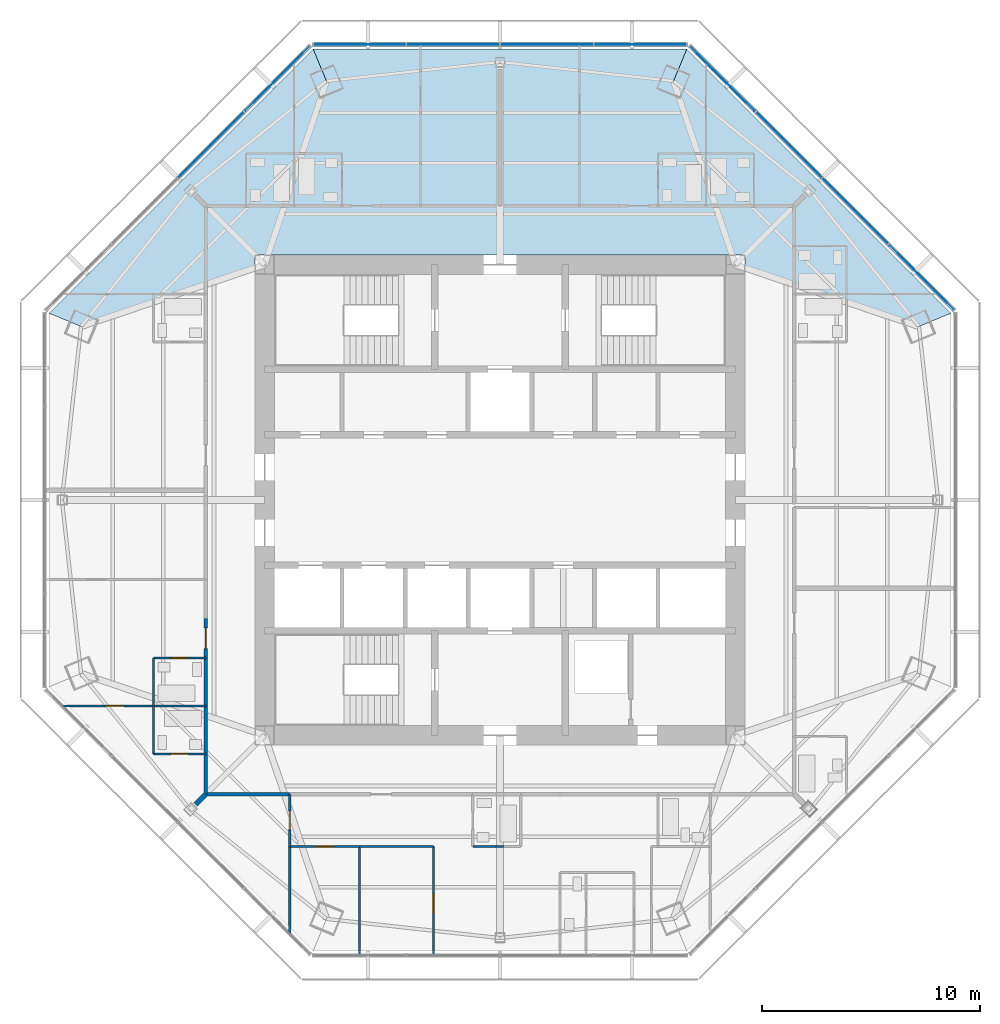
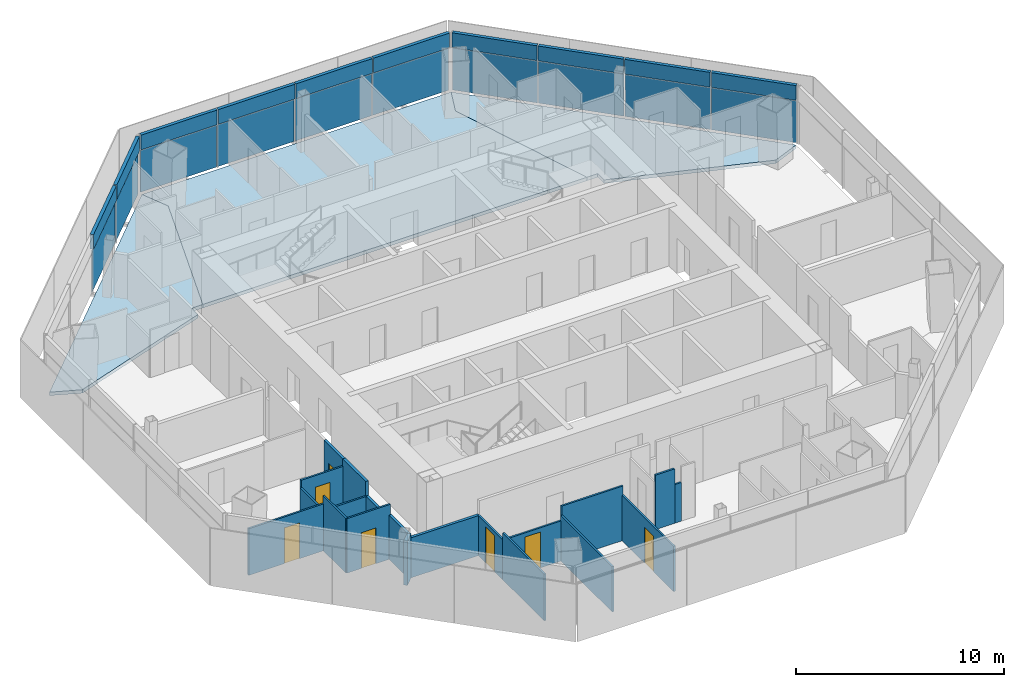
# One storey, part 8 of 14: 20 plates, 20 walls, 7 doors, 3 slabs, 7 openings, 3 elements without a shape of their own.
"""IFC4 building model written with IfcOpenShell, lengths in metres."""

from ifc_helpers import new_model, si_unit, direction, frame, frame_2d, origin, origin_2d, place, context, subcontext, project, spatial, polyline, rectangle, outline, extrude, source, transform, mapped, material, layer, layer_set, type_object, type_shapes, element, fill, aggregate, save


model = new_model("IFC4")

# Units and contexts
model_context = context("Model", 3, precision=1e-05, world=origin(), true_north=direction((0.0, 1.0)))
body_context = subcontext(model_context, "Body", "Model", "MODEL_VIEW")
ifc_project = project(units=[si_unit("LENGTHUNIT", "METRE"), si_unit("AREAUNIT", "SQUARE_METRE"), si_unit("VOLUMEUNIT", "CUBIC_METRE"), si_unit("PLANEANGLEUNIT", "RADIAN"), si_unit("MASSUNIT", "GRAM", prefix="KILO")], contexts=[model_context])

# Site, building, storey
site_placement = place(None, origin())
site = spatial("IfcSite", under=ifc_project, at=site_placement, CompositionType="ELEMENT")
building_placement = place(site_placement, origin())
building = spatial("IfcBuilding", under=site, at=building_placement, Name="Mashrafa Tower", CompositionType="ELEMENT")
storey_placement = place(building_placement, frame((0.0, 0.0, 251.60009765625)))
storey = spatial("IfcBuildingStorey", under=building, at=storey_placement, Name="L60", CompositionType="ELEMENT", Elevation=251.60009765625)

# Slabs
ifc_material_1 = material(Name="Concrete C35/45", Category="concrete")
ifc_layer_1 = layer(ifc_material_1, 0.199951171875)
ifc_layer_set_1 = layer_set([ifc_layer_1], Name="Floor slab 200")
slab_type = type_object("IfcSlabType", Name="Floor slab 200", PredefinedType="FLOOR", material=ifc_layer_set_1)
slab_1_placement = place(storey_placement, frame((0.0, 0.0, -0.2001953125)))
element("IfcSlab", 1, at=slab_1_placement, inside=storey, type_object=slab_type, Name="Floor slab L60 north-east bay", PredefinedType="FLOOR", context=body_context, shape_type="SweptSolid", body=[
    extrude(outline(polyline([(20.697265625, 8.5732421875), (19.224853515625, 7.963134765625), (11.25, 10.6484375), (11.25, 11.25), (10.6484375, 11.25), (7.963134765625, 19.224853515625), (8.5732421875, 20.697265625), (20.697265625, 8.5732421875)])), origin(), (0.0, 0.0, 1.0), 0.2001953125),
])
slab_2_placement = place(storey_placement, frame((0.0, 0.0, -0.2001953125)))
element("IfcSlab", 2, at=slab_2_placement, inside=storey, type_object=slab_type, Name="Floor slab L60 north bay", PredefinedType="FLOOR", context=body_context, shape_type="SweptSolid", body=[
    extrude(outline(polyline([(-8.572998046875, 20.697265625), (8.572998046875, 20.697265625), (8.5732421875, 20.697265625), (7.963134765625, 19.224853515625), (10.6484375, 11.25), (-10.6484375, 11.25), (-7.963134765625, 19.224853515625), (-8.5732421875, 20.697265625), (-8.572998046875, 20.697265625)])), origin(), (0.0, 0.0, 1.0), 0.2001953125),
])
slab_3_placement = place(storey_placement, frame((0.0, 0.0, -0.2001953125)))
element("IfcSlab", 3, at=slab_3_placement, inside=storey, type_object=slab_type, Name="Floor slab L60 north-west bay", PredefinedType="FLOOR", context=body_context, shape_type="SweptSolid", body=[
    extrude(outline(polyline([(-8.5732421875, 20.697265625), (-7.963134765625, 19.224853515625), (-10.6484375, 11.25), (-11.25, 11.25), (-11.25, 10.6484375), (-19.224853515625, 7.963134765625), (-20.697265625, 8.5732421875), (-8.5732421875, 20.697265625)])), origin(), (0.0, 0.0, 1.0), 0.2001953125),
])

# Curtain wall, plates
ifc_material_2 = material(Name="Unitised aluminium curtain wall", Category="aluminium")
curtain_wall_type = type_object("IfcCurtainWallType", Name="Apartment curtain wall, zone 3 CW-C 180 deep", PredefinedType="NOTDEFINED", material=ifc_material_2)
curtain_wall_1_placement = place(storey_placement, origin())
curtain_wall_1 = element("IfcCurtainWall", 4, at=curtain_wall_1_placement, inside=storey, type_object=curtain_wall_type, Name="Apartment curtain wall, zone 3 L60 north-east", PredefinedType="NOTDEFINED")
ifc_material_3 = material(Name="Insulated double glazing, acoustic", Category="glass")
ifc_layer_2 = layer(ifc_material_3, 0.028076171875)
ifc_layer_set_2 = layer_set([ifc_layer_2], Name="Vision panel CW-C 28")
plate_type_1 = type_object("IfcPlateType", Name="Vision panel CW-C 28", PredefinedType="CURTAIN_PANEL", material=ifc_layer_set_2)
shared_shape_1 = source(origin(), body_context, "Body", "SweptSolid", [
    extrude(rectangle(XDim=4.21435546875, YDim=0.028076171875, at=origin_2d()), origin(), (0.0, 0.0, 1.0), 2.46240234375),
])
plate_1_placement = place(storey_placement, frame((19.33154296875, 10.2216796875, 0.0), z_axis=(0.0, 0.0, 1.0), x_axis=(-0.707106781187, 0.707106781187, 0.0)))
plate_1 = element("IfcPlate", 5, at=plate_1_placement, type_object=plate_type_1, Name="CW-C vision panel 1", PredefinedType="CURTAIN_PANEL", context=body_context, shape_type="MappedRepresentation", body=[
    mapped(shared_shape_1, transform((0.0, 0.0, 0.0))),
])
plate_2_placement = place(storey_placement, frame((10.2216796875, 19.33154296875, 0.0), z_axis=(0.0, 0.0, 1.0), x_axis=(-0.707106781187, 0.707106781187, 0.0)))
plate_2 = element("IfcPlate", 6, at=plate_2_placement, type_object=plate_type_1, Name="CW-C vision panel 4", PredefinedType="CURTAIN_PANEL", context=body_context, shape_type="MappedRepresentation", body=[
    mapped(shared_shape_1, transform((0.0, 0.0, 0.0))),
])

curtain_wall_2_placement = place(storey_placement, origin())
curtain_wall_2 = element("IfcCurtainWall", 7, at=curtain_wall_2_placement, inside=storey, type_object=curtain_wall_type, Name="Apartment curtain wall, zone 3 L60 north", PredefinedType="NOTDEFINED")
plate_3_placement = place(storey_placement, frame((6.44140625, 20.897216796875, 0.0), z_axis=(0.0, 0.0, 1.0), x_axis=(-1.0, 0.0, 0.0)))
plate_3 = element("IfcPlate", 8, at=plate_3_placement, type_object=plate_type_1, Name="CW-C vision panel 1", PredefinedType="CURTAIN_PANEL", context=body_context, shape_type="MappedRepresentation", body=[
    mapped(shared_shape_1, transform((0.0, 0.0, 0.0))),
])
plate_4_placement = place(storey_placement, frame((-6.44140625, 20.897216796875, 0.0), z_axis=(0.0, 0.0, 1.0), x_axis=(-1.0, 0.0, 0.0)))
plate_4 = element("IfcPlate", 9, at=plate_4_placement, type_object=plate_type_1, Name="CW-C vision panel 4", PredefinedType="CURTAIN_PANEL", context=body_context, shape_type="MappedRepresentation", body=[
    mapped(shared_shape_1, transform((0.0, 0.0, 0.0))),
])

# Curtain wall, plate
curtain_wall_3_placement = place(storey_placement, origin())
curtain_wall_3 = element("IfcCurtainWall", 10, at=curtain_wall_3_placement, inside=storey, type_object=curtain_wall_type, Name="Apartment curtain wall, zone 3 L60 north-west", PredefinedType="NOTDEFINED")
plate_5_placement = place(storey_placement, frame((-10.2216796875, 19.33154296875, 0.0), z_axis=(0.0, 0.0, 1.0), x_axis=(-0.707106781187, -0.707106781187, 0.0)))
plate_5 = element("IfcPlate", 11, at=plate_5_placement, type_object=plate_type_1, Name="CW-C vision panel 1", PredefinedType="CURTAIN_PANEL", context=body_context, shape_type="MappedRepresentation", body=[
    mapped(shared_shape_1, transform((0.0, 0.0, 0.0))),
])

# Plate
ifc_material_4 = material(Name="Insulated bronze aluminium spandrel panel", Category="aluminium")
ifc_layer_3 = layer(ifc_material_4, 0.179931640625)
ifc_layer_set_3 = layer_set([ifc_layer_3], Name="Spandrel panel CW-C 180")
plate_type_2 = type_object("IfcPlateType", Name="Spandrel panel CW-C 180", PredefinedType="CURTAIN_PANEL", material=ifc_layer_set_3)
shared_shape_2 = source(origin(), body_context, "Body", "SweptSolid", [
    extrude(rectangle(XDim=4.21435546875, YDim=0.179931640625, at=origin_2d()), origin(), (0.0, 0.0, 1.0), 0.862548828125),
])
plate_6_placement = place(storey_placement, frame((19.33154296875, 10.2216796875, 2.53759765625), z_axis=(0.0, 0.0, 1.0), x_axis=(-0.707106781187, 0.707106781187, 0.0)))
plate_6 = element("IfcPlate", 12, at=plate_6_placement, type_object=plate_type_2, Name="CW-C spandrel panel 1", PredefinedType="CURTAIN_PANEL", context=body_context, shape_type="MappedRepresentation", body=[
    mapped(shared_shape_2, transform((0.0, 0.0, 0.0))),
])

plate_7_placement = place(storey_placement, frame((10.2216796875, 19.33154296875, 2.53759765625), z_axis=(0.0, 0.0, 1.0), x_axis=(-0.707106781187, 0.707106781187, 0.0)))
plate_7 = element("IfcPlate", 13, at=plate_7_placement, type_object=plate_type_2, Name="CW-C spandrel panel 4", PredefinedType="CURTAIN_PANEL", context=body_context, shape_type="MappedRepresentation", body=[
    mapped(shared_shape_2, transform((0.0, 0.0, 0.0))),
])

plate_8_placement = place(storey_placement, frame((6.44140625, 20.897216796875, 2.53759765625), z_axis=(0.0, 0.0, 1.0), x_axis=(-1.0, 0.0, 0.0)))
plate_8 = element("IfcPlate", 14, at=plate_8_placement, type_object=plate_type_2, Name="CW-C spandrel panel 1", PredefinedType="CURTAIN_PANEL", context=body_context, shape_type="MappedRepresentation", body=[
    mapped(shared_shape_2, transform((0.0, 0.0, 0.0))),
])

plate_9_placement = place(storey_placement, frame((-6.44140625, 20.897216796875, 2.53759765625), z_axis=(0.0, 0.0, 1.0), x_axis=(-1.0, 0.0, 0.0)))
plate_9 = element("IfcPlate", 15, at=plate_9_placement, type_object=plate_type_2, Name="CW-C spandrel panel 4", PredefinedType="CURTAIN_PANEL", context=body_context, shape_type="MappedRepresentation", body=[
    mapped(shared_shape_2, transform((0.0, 0.0, 0.0))),
])

plate_10_placement = place(storey_placement, frame((-10.2216796875, 19.33154296875, 2.53759765625), z_axis=(0.0, 0.0, 1.0), x_axis=(-0.707106781187, -0.707106781187, 0.0)))
plate_10 = element("IfcPlate", 16, at=plate_10_placement, type_object=plate_type_2, Name="CW-C spandrel panel 1", PredefinedType="CURTAIN_PANEL", context=body_context, shape_type="MappedRepresentation", body=[
    mapped(shared_shape_2, transform((0.0, 0.0, 0.0))),
])

shared_shape_3 = source(origin(), body_context, "Body", "SweptSolid", [
    extrude(rectangle(XDim=4.244384765625, YDim=0.028076171875, at=origin_2d()), origin(), (0.0, 0.0, 1.0), 2.46240234375),
])
type_shapes(plate_type_1, [shared_shape_1, shared_shape_3])
plate_11_placement = place(storey_placement, frame((16.29833984375, 13.2548828125, 0.0), z_axis=(0.0, 0.0, 1.0), x_axis=(-0.707106781187, 0.707106781187, 0.0)))
plate_11 = element("IfcPlate", 17, at=plate_11_placement, type_object=plate_type_1, Name="CW-C vision panel 2", PredefinedType="CURTAIN_PANEL", context=body_context, shape_type="MappedRepresentation", body=[
    mapped(shared_shape_3, transform((0.0, 0.0, 0.0))),
])

plate_12_placement = place(storey_placement, frame((13.2548828125, 16.29833984375, 0.0), z_axis=(0.0, 0.0, 1.0), x_axis=(-0.707106781187, 0.707106781187, 0.0)))
plate_12 = element("IfcPlate", 18, at=plate_12_placement, type_object=plate_type_1, Name="CW-C vision panel 3", PredefinedType="CURTAIN_PANEL", context=body_context, shape_type="MappedRepresentation", body=[
    mapped(shared_shape_3, transform((0.0, 0.0, 0.0))),
])

plate_13_placement = place(storey_placement, frame((2.152099609375, 20.897216796875, 0.0), z_axis=(0.0, 0.0, 1.0), x_axis=(-1.0, 0.0, 0.0)))
plate_13 = element("IfcPlate", 19, at=plate_13_placement, type_object=plate_type_1, Name="CW-C vision panel 2", PredefinedType="CURTAIN_PANEL", context=body_context, shape_type="MappedRepresentation", body=[
    mapped(shared_shape_3, transform((0.0, 0.0, 0.0))),
])

plate_14_placement = place(storey_placement, frame((-2.152099609375, 20.897216796875, 0.0), z_axis=(0.0, 0.0, 1.0), x_axis=(-1.0, 0.0, 0.0)))
plate_14 = element("IfcPlate", 20, at=plate_14_placement, type_object=plate_type_1, Name="CW-C vision panel 3", PredefinedType="CURTAIN_PANEL", context=body_context, shape_type="MappedRepresentation", body=[
    mapped(shared_shape_3, transform((0.0, 0.0, 0.0))),
])

plate_15_placement = place(storey_placement, frame((-13.2548828125, 16.29833984375, 0.0), z_axis=(0.0, 0.0, 1.0), x_axis=(-0.707106781187, -0.707106781187, 0.0)))
plate_15 = element("IfcPlate", 21, at=plate_15_placement, type_object=plate_type_1, Name="CW-C vision panel 2", PredefinedType="CURTAIN_PANEL", context=body_context, shape_type="MappedRepresentation", body=[
    mapped(shared_shape_3, transform((0.0, 0.0, 0.0))),
])

shared_shape_4 = source(origin(), body_context, "Body", "SweptSolid", [
    extrude(rectangle(XDim=4.244384765625, YDim=0.179931640625, at=origin_2d()), origin(), (0.0, 0.0, 1.0), 0.862548828125),
])
type_shapes(plate_type_2, [shared_shape_2, shared_shape_4])
plate_16_placement = place(storey_placement, frame((16.29833984375, 13.2548828125, 2.53759765625), z_axis=(0.0, 0.0, 1.0), x_axis=(-0.707106781187, 0.707106781187, 0.0)))
plate_16 = element("IfcPlate", 22, at=plate_16_placement, type_object=plate_type_2, Name="CW-C spandrel panel 2", PredefinedType="CURTAIN_PANEL", context=body_context, shape_type="MappedRepresentation", body=[
    mapped(shared_shape_4, transform((0.0, 0.0, 0.0))),
])

plate_17_placement = place(storey_placement, frame((13.2548828125, 16.29833984375, 2.53759765625), z_axis=(0.0, 0.0, 1.0), x_axis=(-0.707106781187, 0.707106781187, 0.0)))
plate_17 = element("IfcPlate", 23, at=plate_17_placement, type_object=plate_type_2, Name="CW-C spandrel panel 3", PredefinedType="CURTAIN_PANEL", context=body_context, shape_type="MappedRepresentation", body=[
    mapped(shared_shape_4, transform((0.0, 0.0, 0.0))),
])

aggregate(curtain_wall_1, [plate_1, plate_6, plate_11, plate_16, plate_12, plate_17, plate_2, plate_7])

plate_18_placement = place(storey_placement, frame((2.152099609375, 20.897216796875, 2.53759765625), z_axis=(0.0, 0.0, 1.0), x_axis=(-1.0, 0.0, 0.0)))
plate_18 = element("IfcPlate", 24, at=plate_18_placement, type_object=plate_type_2, Name="CW-C spandrel panel 2", PredefinedType="CURTAIN_PANEL", context=body_context, shape_type="MappedRepresentation", body=[
    mapped(shared_shape_4, transform((0.0, 0.0, 0.0))),
])

plate_19_placement = place(storey_placement, frame((-2.152099609375, 20.897216796875, 2.53759765625), z_axis=(0.0, 0.0, 1.0), x_axis=(-1.0, 0.0, 0.0)))
plate_19 = element("IfcPlate", 25, at=plate_19_placement, type_object=plate_type_2, Name="CW-C spandrel panel 3", PredefinedType="CURTAIN_PANEL", context=body_context, shape_type="MappedRepresentation", body=[
    mapped(shared_shape_4, transform((0.0, 0.0, 0.0))),
])

aggregate(curtain_wall_2, [plate_3, plate_8, plate_13, plate_18, plate_14, plate_19, plate_4, plate_9])

plate_20_placement = place(storey_placement, frame((-13.2548828125, 16.29833984375, 2.53759765625), z_axis=(0.0, 0.0, 1.0), x_axis=(-0.707106781187, -0.707106781187, 0.0)))
plate_20 = element("IfcPlate", 26, at=plate_20_placement, type_object=plate_type_2, Name="CW-C spandrel panel 2", PredefinedType="CURTAIN_PANEL", context=body_context, shape_type="MappedRepresentation", body=[
    mapped(shared_shape_4, transform((0.0, 0.0, 0.0))),
])

aggregate(curtain_wall_3, [plate_5, plate_10, plate_15, plate_20])

# Walls
ifc_material_5 = material(Name="Gypsum board on steel studs", Category="steel")
ifc_layer_4 = layer(ifc_material_5, 0.199951171875)
ifc_layer_set_4 = layer_set([ifc_layer_4], Name="Acoustic partition 200 1 hr")
wall_type_1 = type_object("IfcWallType", Name="Acoustic partition 200 1 hr", PredefinedType="PARTITIONING", material=ifc_layer_set_4)
wall_1_placement = place(storey_placement, frame((-13.97021484375, -13.97021484375, 0.0), z_axis=(0.0, 0.0, 1.0), x_axis=(0.707106781187, 0.707106781187, 0.0)))
element("IfcWall", 27, at=wall_1_placement, inside=storey, type_object=wall_type_1, Name="Acoustic wall L60-086", PredefinedType="PARTITIONING", context=body_context, shape_type="SweptSolid", body=[
    extrude(rectangle(XDim=0.6650390625, YDim=0.199951171875, at=frame_2d((0.33251953125, 0.0))), origin(), (0.0, 0.0, 1.0), 2.587890625),
])
ifc_material_6 = material(Name="Gypsum board on steel studs", Category="steel")
ifc_layer_5 = layer(ifc_material_6, 0.14990234375)
ifc_layer_set_5 = layer_set([ifc_layer_5], Name="Corridor partition 150 1 hr")
wall_type_2 = type_object("IfcWallType", Name="Corridor partition 150 1 hr", PredefinedType="PARTITIONING", material=ifc_layer_set_5)
wall_2_placement = place(storey_placement, frame((-13.5, -9.448974609375, 0.0), z_axis=(0.0, 0.0, 1.0), x_axis=(0.0, -1.0, 0.0)))
element("IfcWall", 28, at=wall_2_placement, inside=storey, type_object=wall_type_2, Name="Corridor wall L60-030", PredefinedType="PARTITIONING", context=body_context, shape_type="SweptSolid", body=[
    extrude(rectangle(XDim=2.201904296875, YDim=0.14990234375, at=frame_2d((1.10107421875, 0.0))), origin(), (0.0, 0.0, 1.0), 2.34912109375),
])
wall_3_placement = place(storey_placement, frame((-13.5, -11.64892578125, 0.0), z_axis=(0.0, 0.0, 1.0), x_axis=(0.0, -1.0, 0.0)))
element("IfcWall", 29, at=wall_3_placement, inside=storey, type_object=wall_type_2, Name="Corridor wall L60-031", PredefinedType="PARTITIONING", context=body_context, shape_type="SweptSolid", body=[
    extrude(rectangle(XDim=1.85107421875, YDim=0.14990234375, at=frame_2d((0.925537109375, 0.0))), origin(), (0.0, 0.0, 1.0), 2.587890625),
])
wall_4_placement = place(storey_placement, frame((-13.5, -7.2490234375, 0.0), z_axis=(0.0, 0.0, 1.0), x_axis=(0.0, -1.0, 0.0)))
element("IfcWall", 30, at=wall_4_placement, inside=storey, type_object=wall_type_2, Name="Corridor wall L60-032", PredefinedType="PARTITIONING", context=body_context, shape_type="SweptSolid", body=[
    extrude(rectangle(XDim=2.201904296875, YDim=0.14990234375, at=frame_2d((1.10107421875, 0.0))), origin(), (0.0, 0.0, 1.0), 3.199951171875),
])

# Wall, opening, door
wall_5_placement = place(storey_placement, frame((-13.5, -5.448974609375, 0.0), z_axis=(0.0, 0.0, 1.0), x_axis=(0.0, -1.0, 0.0)))
wall_5 = element("IfcWall", 31, at=wall_5_placement, inside=storey, type_object=wall_type_2, Name="Corridor wall L60-037", PredefinedType="PARTITIONING", context=body_context, shape_type="SweptSolid", body=[
    extrude(rectangle(XDim=1.802001953125, YDim=0.14990234375, at=frame_2d((0.90087890625, 0.0))), origin(), (0.0, 0.0, 1.0), 3.199951171875),
])
opening_1_placement = place(wall_5_placement, frame((0.426025390625, 0.0, 0.0)))
opening_1 = element("IfcOpeningElement", 32, at=opening_1_placement, cuts=wall_5, Name="Opening 60.025", PredefinedType="OPENING", context=body_context, shape_type="SweptSolid", body=[
    extrude(rectangle(XDim=0.949951171875, YDim=2.10009765625, at=frame_2d((0.47509765625, 1.050048828125))), frame((0.0, 0.0849609375, 0.0), z_axis=(0.0, -1.0, 0.0), x_axis=(1.0, 0.0, 0.0)), (0.0, 0.0, 1.0), 0.169921875),
])
ifc_material_7 = material(Name="Steel door", Category="steel")
door_type_1 = type_object("IfcDoorType", Name="Residence entrance door 950 x 2100 20 min", OperationType="USERDEFINED", PredefinedType="DOOR", material=ifc_material_7)
door_1_placement = place(opening_1_placement, frame((0.949951171875, 0.0, 0.0), z_axis=(0.0, 0.0, 1.0), x_axis=(-1.0, 0.0, 0.0)))
door_1 = element("IfcDoor", 33, at=door_1_placement, inside=storey, type_object=door_type_1, Name="Apartment 6006 Living Room door", OperationType="SINGLE_SWING_RIGHT", OverallHeight=2.10009765625, OverallWidth=0.949951171875, PredefinedType="DOOR", context=body_context, shape_type="SweptSolid", body=[
    extrude(rectangle(XDim=0.949951171875, YDim=2.10009765625, at=frame_2d((0.47509765625, 1.050048828125))), frame((0.0, 0.02490234375, 0.0), z_axis=(0.0, -1.0, 0.0), x_axis=(1.0, 0.0, 0.0)), (0.0, 0.0, 1.0), 0.050048828125),
])
fill(opening_1, door_1)

# Walls
wall_6_placement = place(storey_placement, frame((-13.5, -13.5, 0.0), z_axis=(0.0, 0.0, 1.0), x_axis=(1.0, 0.0, 0.0)))
element("IfcWall", 34, at=wall_6_placement, inside=storey, type_object=wall_type_2, Name="Corridor wall L60-038", PredefinedType="PARTITIONING", context=body_context, shape_type="SweptSolid", body=[
    extrude(rectangle(XDim=3.85107421875, YDim=0.14990234375, at=frame_2d((1.925537109375, 0.0))), origin(), (0.0, 0.0, 1.0), 2.34912109375),
])
ifc_material_8 = material(Name="Gypsum board on steel studs", Category="steel")
ifc_layer_6 = layer(ifc_material_8, 0.10009765625)
ifc_layer_set_6 = layer_set([ifc_layer_6], Name="Partition 100")
wall_type_3 = type_object("IfcWallType", Name="Partition 100", PredefinedType="PARTITIONING", material=ifc_layer_set_6)
wall_7_placement = place(storey_placement, frame((-15.89990234375, -9.449951171875, 0.0), z_axis=(0.0, 0.0, 1.0), x_axis=(0.0, -1.0, 0.0)))
element("IfcWall", 35, at=wall_7_placement, inside=storey, type_object=wall_type_3, Name="Partition wall L60-082", PredefinedType="PARTITIONING", context=body_context, shape_type="SweptSolid", body=[
    extrude(rectangle(XDim=2.199951171875, YDim=0.10009765625, at=frame_2d((1.10009765625, 0.0))), origin(), (0.0, 0.0, 1.0), 3.199951171875),
])

# Wall, opening, door
wall_8_placement = place(storey_placement, frame((-15.89990234375, -11.64990234375, 0.0), z_axis=(0.0, 0.0, 1.0), x_axis=(1.0, 0.0, 0.0)))
wall_8 = element("IfcWall", 36, at=wall_8_placement, inside=storey, type_object=wall_type_3, Name="Partition wall L60-083", PredefinedType="PARTITIONING", context=body_context, shape_type="SweptSolid", body=[
    extrude(rectangle(XDim=2.39990234375, YDim=0.10009765625, at=frame_2d((1.199951171875, 0.0))), origin(), (0.0, 0.0, 1.0), 3.199951171875),
])
opening_2_placement = place(wall_8_placement, frame((0.800048828125, 0.0, 0.0)))
opening_2 = element("IfcOpeningElement", 37, at=opening_2_placement, cuts=wall_8, Name="Opening 60.021", PredefinedType="OPENING", context=body_context, shape_type="SweptSolid", body=[
    extrude(rectangle(XDim=0.800048828125, YDim=2.10009765625, at=frame_2d((0.39990234375, 1.050048828125))), frame((0.0, 0.06005859375, 0.0), z_axis=(0.0, -1.0, 0.0), x_axis=(1.0, 0.0, 0.0)), (0.0, 0.0, 1.0), 0.1201171875),
])
ifc_material_9 = material(Name="Timber door", Category="wood")
door_type_2 = type_object("IfcDoorType", Name="Bathroom door 800 x 2100", OperationType="USERDEFINED", PredefinedType="DOOR", material=ifc_material_9)
door_2_placement = place(opening_2_placement, origin())
door_2 = element("IfcDoor", 38, at=door_2_placement, inside=storey, type_object=door_type_2, Name="Apartment 6006 En-suite Bathroom door", OperationType="SINGLE_SWING_LEFT", OverallHeight=2.10009765625, OverallWidth=0.800048828125, PredefinedType="DOOR", context=body_context, shape_type="SweptSolid", body=[
    extrude(rectangle(XDim=0.800048828125, YDim=2.10009765625, at=frame_2d((0.39990234375, 1.050048828125))), frame((0.0, 0.02490234375, 0.0), z_axis=(0.0, -1.0, 0.0), x_axis=(1.0, 0.0, 0.0)), (0.0, 0.0, 1.0), 0.050048828125),
])
fill(opening_2, door_2)

# Wall
wall_9_placement = place(storey_placement, frame((-13.5, -9.449951171875, 0.0), z_axis=(0.0, 0.0, 1.0), x_axis=(-1.0, 0.0, 0.0)))
element("IfcWall", 39, at=wall_9_placement, inside=storey, type_object=wall_type_3, Name="Partition wall L60-084", PredefinedType="PARTITIONING", context=body_context, shape_type="SweptSolid", body=[
    extrude(rectangle(XDim=2.39990234375, YDim=0.10009765625, at=frame_2d((1.199951171875, 0.0))), origin(), (0.0, 0.0, 1.0), 2.34912109375),
])

# Wall, opening, door
wall_10_placement = place(storey_placement, frame((-15.89990234375, -9.449951171875, 0.0), z_axis=(0.0, 0.0, 1.0), x_axis=(-1.0, 0.0, 0.0)))
wall_10 = element("IfcWall", 40, at=wall_10_placement, inside=storey, type_object=wall_type_3, Name="Partition wall L60-085", PredefinedType="PARTITIONING", context=body_context, shape_type="SweptSolid", body=[
    extrude(rectangle(XDim=4.181640625, YDim=0.10009765625, at=frame_2d((2.0908203125, 0.0))), origin(), (0.0, 0.0, 1.0), 2.740234375),
])
opening_3_placement = place(wall_10_placement, frame((1.3583984375, 0.0, 0.0)))
opening_3 = element("IfcOpeningElement", 41, at=opening_3_placement, cuts=wall_10, Name="Opening 60.022", PredefinedType="OPENING", context=body_context, shape_type="SweptSolid", body=[
    extrude(rectangle(XDim=0.85009765625, YDim=2.10009765625, at=frame_2d((0.425048828125, 1.050048828125))), frame((0.0, 0.06005859375, 0.0), z_axis=(0.0, -1.0, 0.0), x_axis=(1.0, 0.0, 0.0)), (0.0, 0.0, 1.0), 0.1201171875),
])
ifc_material_10 = material(Name="Timber door", Category="wood")
door_type_3 = type_object("IfcDoorType", Name="Bedroom door 850 x 2100", OperationType="USERDEFINED", PredefinedType="DOOR", material=ifc_material_10)
door_3_placement = place(opening_3_placement, origin())
door_3 = element("IfcDoor", 42, at=door_3_placement, inside=storey, type_object=door_type_3, Name="Apartment 6006 Bedroom 1 door", OperationType="SINGLE_SWING_RIGHT", OverallHeight=2.10009765625, OverallWidth=0.85009765625, PredefinedType="DOOR", context=body_context, shape_type="SweptSolid", body=[
    extrude(rectangle(XDim=0.85009765625, YDim=2.10009765625, at=frame_2d((0.425048828125, 1.050048828125))), frame((0.0, 0.02490234375, 0.0), z_axis=(0.0, -1.0, 0.0), x_axis=(1.0, 0.0, 0.0)), (0.0, 0.0, 1.0), 0.050048828125),
])
fill(opening_3, door_3)

wall_11_placement = place(storey_placement, frame((-13.5, -7.25, 0.0), z_axis=(0.0, 0.0, 1.0), x_axis=(-1.0, 0.0, 0.0)))
wall_11 = element("IfcWall", 43, at=wall_11_placement, inside=storey, type_object=wall_type_3, Name="Partition wall L60-087", PredefinedType="PARTITIONING", context=body_context, shape_type="SweptSolid", body=[
    extrude(rectangle(XDim=2.39990234375, YDim=0.10009765625, at=frame_2d((1.199951171875, 0.0))), origin(), (0.0, 0.0, 1.0), 2.783447265625),
])
opening_4_placement = place(wall_11_placement, frame((0.800048828125, 0.0, 0.0)))
opening_4 = element("IfcOpeningElement", 44, at=opening_4_placement, cuts=wall_11, Name="Opening 60.023", PredefinedType="OPENING", context=body_context, shape_type="SweptSolid", body=[
    extrude(rectangle(XDim=0.800048828125, YDim=2.10009765625, at=frame_2d((0.39990234375, 1.050048828125))), frame((0.0, 0.06005859375, 0.0), z_axis=(0.0, -1.0, 0.0), x_axis=(1.0, 0.0, 0.0)), (0.0, 0.0, 1.0), 0.1201171875),
])
door_4_placement = place(opening_4_placement, origin())
door_4 = element("IfcDoor", 45, at=door_4_placement, inside=storey, type_object=door_type_2, Name="Apartment 6006 Bathroom door", OperationType="SINGLE_SWING_RIGHT", OverallHeight=2.10009765625, OverallWidth=0.800048828125, PredefinedType="DOOR", context=body_context, shape_type="SweptSolid", body=[
    extrude(rectangle(XDim=0.800048828125, YDim=2.10009765625, at=frame_2d((0.39990234375, 1.050048828125))), frame((0.0, 0.02490234375, 0.0), z_axis=(0.0, -1.0, 0.0), x_axis=(1.0, 0.0, 0.0)), (0.0, 0.0, 1.0), 0.050048828125),
])
fill(opening_4, door_4)

# Walls
wall_12_placement = place(storey_placement, frame((-15.89990234375, -7.25, 0.0), z_axis=(0.0, 0.0, 1.0), x_axis=(0.0, -1.0, 0.0)))
element("IfcWall", 46, at=wall_12_placement, inside=storey, type_object=wall_type_3, Name="Partition wall L60-088", PredefinedType="PARTITIONING", context=body_context, shape_type="SweptSolid", body=[
    extrude(rectangle(XDim=2.199951171875, YDim=0.10009765625, at=frame_2d((1.10009765625, 0.0))), origin(), (0.0, 0.0, 1.0), 2.34912109375),
])
wall_13_placement = place(storey_placement, frame((-9.64990234375, -19.87939453125, 0.0), z_axis=(0.0, 0.0, 1.0), x_axis=(0.0, 1.0, 0.0)))
element("IfcWall", 47, at=wall_13_placement, inside=storey, type_object=wall_type_3, Name="Partition wall L60-091", PredefinedType="PARTITIONING", context=body_context, shape_type="SweptSolid", body=[
    extrude(rectangle(XDim=3.98046875, YDim=0.10009765625, at=frame_2d((1.990234375, 0.0))), origin(), (0.0, 0.0, 1.0), 2.740234375),
])

# Wall, opening, door
wall_14_placement = place(storey_placement, frame((-9.64990234375, -15.90087890625, 0.0), z_axis=(0.0, 0.0, 1.0), x_axis=(0.0, 1.0, 0.0)))
wall_14 = element("IfcWall", 48, at=wall_14_placement, inside=storey, type_object=wall_type_3, Name="Partition wall L60-092", PredefinedType="PARTITIONING", context=body_context, shape_type="SweptSolid", body=[
    extrude(rectangle(XDim=2.40087890625, YDim=0.10009765625, at=frame_2d((1.200439453125, 0.0))), origin(), (0.0, 0.0, 1.0), 2.34912109375),
])
opening_5_placement = place(wall_14_placement, frame((0.775390625, 0.0, 0.0)))
opening_5 = element("IfcOpeningElement", 49, at=opening_5_placement, cuts=wall_14, Name="Opening 60.026", PredefinedType="OPENING", context=body_context, shape_type="SweptSolid", body=[
    extrude(rectangle(XDim=0.85009765625, YDim=2.10009765625, at=frame_2d((0.425048828125, 1.050048828125))), frame((0.0, 0.06005859375, 0.0), z_axis=(0.0, -1.0, 0.0), x_axis=(1.0, 0.0, 0.0)), (0.0, 0.0, 1.0), 0.1201171875),
])
door_5_placement = place(opening_5_placement, origin())
door_5 = element("IfcDoor", 50, at=door_5_placement, inside=storey, type_object=door_type_3, Name="Apartment 6007 Bedroom 1 door", OperationType="SINGLE_SWING_RIGHT", OverallHeight=2.10009765625, OverallWidth=0.85009765625, PredefinedType="DOOR", context=body_context, shape_type="SweptSolid", body=[
    extrude(rectangle(XDim=0.85009765625, YDim=2.10009765625, at=frame_2d((0.425048828125, 1.050048828125))), frame((0.0, 0.02490234375, 0.0), z_axis=(0.0, -1.0, 0.0), x_axis=(1.0, 0.0, 0.0)), (0.0, 0.0, 1.0), 0.050048828125),
])
fill(opening_5, door_5)

# Wall
wall_15_placement = place(storey_placement, frame((-6.449951171875, -20.87939453125, 0.0), z_axis=(0.0, 0.0, 1.0), x_axis=(0.0, 1.0, 0.0)))
element("IfcWall", 51, at=wall_15_placement, inside=storey, type_object=wall_type_3, Name="Partition wall L60-093", PredefinedType="PARTITIONING", context=body_context, shape_type="SweptSolid", body=[
    extrude(rectangle(XDim=4.9794921875, YDim=0.10009765625, at=frame_2d((2.48974609375, 0.0))), origin(), (0.0, 0.0, 1.0), 2.66162109375),
])

# Wall, opening, door
wall_16_placement = place(storey_placement, frame((-6.449951171875, -15.89990234375, 0.0), z_axis=(0.0, 0.0, 1.0), x_axis=(-1.0, 0.0, 0.0)))
wall_16 = element("IfcWall", 52, at=wall_16_placement, inside=storey, type_object=wall_type_3, Name="Partition wall L60-094", PredefinedType="PARTITIONING", context=body_context, shape_type="SweptSolid", body=[
    extrude(rectangle(XDim=3.199951171875, YDim=0.10009765625, at=frame_2d((1.60009765625, 0.0))), origin(), (0.0, 0.0, 1.0), 2.34912109375),
])
opening_6_placement = place(wall_16_placement, frame((1.175048828125, 0.0, 0.0)))
opening_6 = element("IfcOpeningElement", 53, at=opening_6_placement, cuts=wall_16, Name="Opening 60.027", PredefinedType="OPENING", context=body_context, shape_type="SweptSolid", body=[
    extrude(rectangle(XDim=0.85009765625, YDim=2.10009765625, at=frame_2d((0.425048828125, 1.050048828125))), frame((0.0, 0.06005859375, 0.0), z_axis=(0.0, -1.0, 0.0), x_axis=(1.0, 0.0, 0.0)), (0.0, 0.0, 1.0), 0.1201171875),
])
door_6_placement = place(opening_6_placement, origin())
door_6 = element("IfcDoor", 54, at=door_6_placement, inside=storey, type_object=door_type_3, Name="Apartment 6007 Bedroom 2 door", OperationType="SINGLE_SWING_RIGHT", OverallHeight=2.10009765625, OverallWidth=0.85009765625, PredefinedType="DOOR", context=body_context, shape_type="SweptSolid", body=[
    extrude(rectangle(XDim=0.85009765625, YDim=2.10009765625, at=frame_2d((0.425048828125, 1.050048828125))), frame((0.0, 0.02490234375, 0.0), z_axis=(0.0, -1.0, 0.0), x_axis=(1.0, 0.0, 0.0)), (0.0, 0.0, 1.0), 0.050048828125),
])
fill(opening_6, door_6)

wall_17_placement = place(storey_placement, frame((-3.050048828125, -20.88134765625, 0.0), z_axis=(0.0, 0.0, 1.0), x_axis=(0.0, 1.0, 0.0)))
wall_17 = element("IfcWall", 55, at=wall_17_placement, inside=storey, type_object=wall_type_3, Name="Partition wall L60-095", PredefinedType="PARTITIONING", context=body_context, shape_type="SweptSolid", body=[
    extrude(rectangle(XDim=4.9814453125, YDim=0.10009765625, at=frame_2d((2.49072265625, 0.0))), origin(), (0.0, 0.0, 1.0), 2.66162109375),
])
opening_7_placement = place(wall_17_placement, frame((1.927734375, 0.0, 0.0)))
opening_7 = element("IfcOpeningElement", 56, at=opening_7_placement, cuts=wall_17, Name="Opening 60.028", PredefinedType="OPENING", context=body_context, shape_type="SweptSolid", body=[
    extrude(rectangle(XDim=0.85009765625, YDim=2.10009765625, at=frame_2d((0.425048828125, 1.050048828125))), frame((0.0, 0.06005859375, 0.0), z_axis=(0.0, -1.0, 0.0), x_axis=(1.0, 0.0, 0.0)), (0.0, 0.0, 1.0), 0.1201171875),
])
door_7_placement = place(opening_7_placement, origin())
door_7 = element("IfcDoor", 57, at=door_7_placement, inside=storey, type_object=door_type_3, Name="Apartment 6007 Majlis door", OperationType="SINGLE_SWING_LEFT", OverallHeight=2.10009765625, OverallWidth=0.85009765625, PredefinedType="DOOR", context=body_context, shape_type="SweptSolid", body=[
    extrude(rectangle(XDim=0.85009765625, YDim=2.10009765625, at=frame_2d((0.425048828125, 1.050048828125))), frame((0.0, 0.02490234375, 0.0), z_axis=(0.0, -1.0, 0.0), x_axis=(1.0, 0.0, 0.0)), (0.0, 0.0, 1.0), 0.050048828125),
])
fill(opening_7, door_7)

# Walls
wall_18_placement = place(storey_placement, frame((-3.050048828125, -15.89990234375, 0.0), z_axis=(0.0, 0.0, 1.0), x_axis=(-1.0, 0.0, 0.0)))
element("IfcWall", 58, at=wall_18_placement, inside=storey, type_object=wall_type_3, Name="Partition wall L60-096", PredefinedType="PARTITIONING", context=body_context, shape_type="SweptSolid", body=[
    extrude(rectangle(XDim=3.39990234375, YDim=0.10009765625, at=frame_2d((1.699951171875, 0.0))), origin(), (0.0, 0.0, 1.0), 3.199951171875),
])
wall_19_placement = place(storey_placement, frame((-1.25, -15.89990234375, 0.0), z_axis=(0.0, 0.0, 1.0), x_axis=(1.0, 0.0, 0.0)))
element("IfcWall", 59, at=wall_19_placement, inside=storey, type_object=wall_type_3, Name="Partition wall L60-099", PredefinedType="PARTITIONING", context=body_context, shape_type="SweptSolid", body=[
    extrude(rectangle(XDim=1.067626953125, YDim=0.10009765625, at=frame_2d((0.53369140625, 0.0))), origin(), (0.0, 0.0, 1.0), 3.199951171875),
])
wall_20_placement = place(storey_placement, frame((-0.182373046875, -15.89990234375, 0.0), z_axis=(0.0, 0.0, 1.0), x_axis=(1.0, 0.0, 0.0)))
element("IfcWall", 60, at=wall_20_placement, inside=storey, type_object=wall_type_3, Name="Partition wall L60-101", PredefinedType="PARTITIONING", context=body_context, shape_type="SweptSolid", body=[
    extrude(rectangle(XDim=0.36474609375, YDim=0.10009765625, at=frame_2d((0.182373046875, 0.0))), origin(), (0.0, 0.0, 1.0), 2.26806640625),
])

save(model, "model.ifc")
